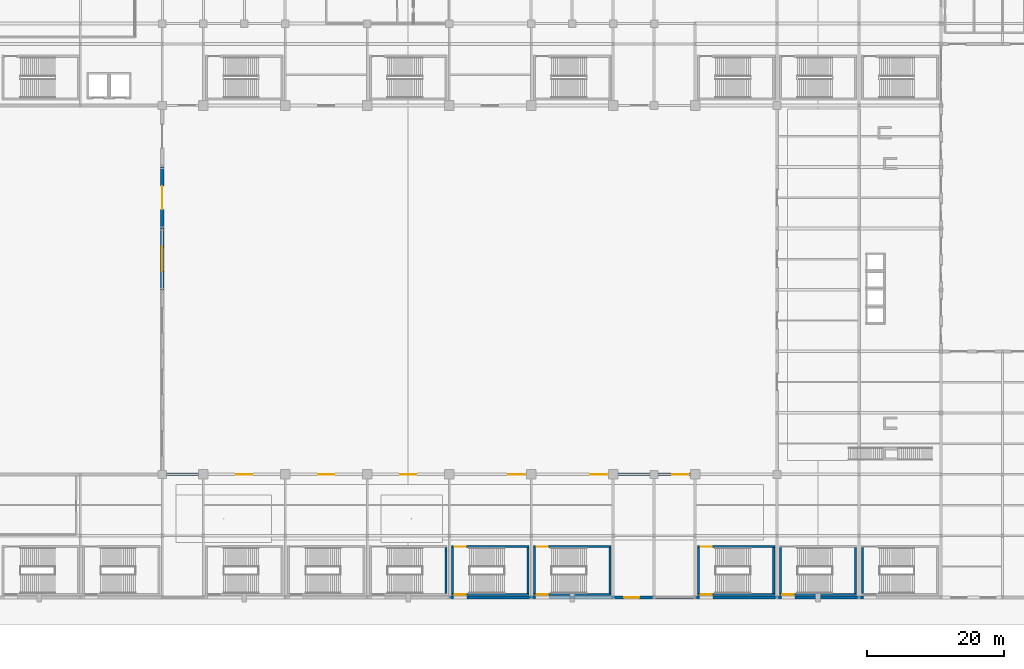
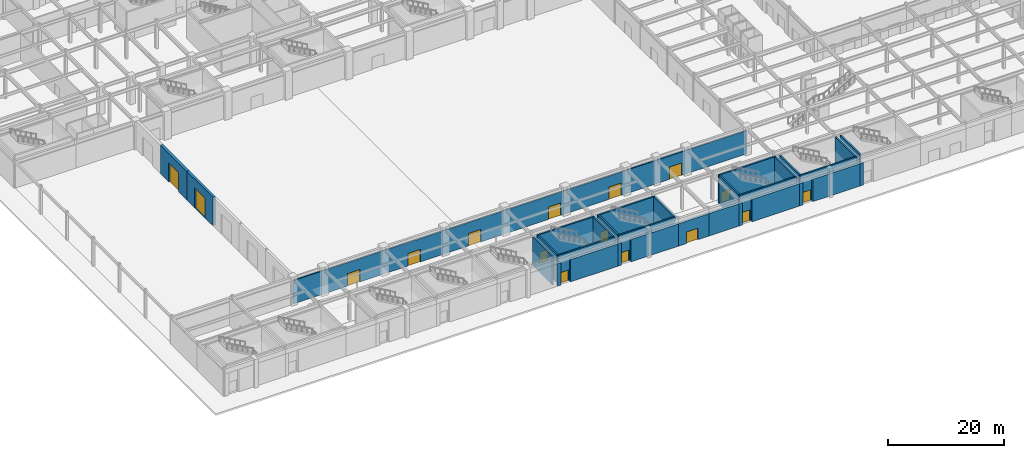
# One storey, part 22 of 44: 31 walls, 16 doors, 16 openings.
"""IFC4 building model written with IfcOpenShell, lengths in metres."""

from ifc_helpers import new_model, si_unit, direction, frame, frame_2d, origin, place, context, subcontext, project, spatial, rectangle, extrude, material, layer, layer_set, type_object, element, fill, save


model = new_model("IFC4")

# Units and contexts
model_context = context("Model", 3, precision=1e-05, world=origin(), true_north=direction((0.0, 1.0)))
body_context = subcontext(model_context, "Body", "Model", "MODEL_VIEW")
ifc_project = project(units=[si_unit("LENGTHUNIT", "METRE"), si_unit("AREAUNIT", "SQUARE_METRE"), si_unit("VOLUMEUNIT", "CUBIC_METRE"), si_unit("PLANEANGLEUNIT", "RADIAN"), si_unit("MASSUNIT", "GRAM", prefix="KILO")], contexts=[model_context])

# Site, building, storey
site_placement = place(None, origin())
site = spatial("IfcSite", under=ifc_project, at=site_placement, CompositionType="ELEMENT")
building_placement = place(site_placement, origin())
building = spatial("IfcBuilding", under=site, at=building_placement, Name="Kaldorvane Square Convention Centre", CompositionType="ELEMENT")
storey_placement = place(building_placement, origin())
storey = spatial("IfcBuildingStorey", under=building, at=storey_placement, Name="L00", CompositionType="ELEMENT", Elevation=0.0)

# Wall, openings, doors
ifc_material_1 = material(Name="Reinforced Concrete Masonry Acoustic Partition", Category="masonry")
ifc_layer_1 = layer(ifc_material_1, 0.279998779296875)
ifc_layer_set_1 = layer_set([ifc_layer_1], Name="Reinforced Concrete Masonry Acoustic Partition")
wall_type_1 = type_object("IfcWallType", Name="WL-ACO-280", PredefinedType="PARTITIONING", material=ifc_layer_set_1)
wall_1_placement = place(storey_placement, frame((24.0, 18.0, 0.0), z_axis=(0.0, 0.0, 1.0), x_axis=(1.0, 0.0, 0.0)))
wall_1 = element("IfcWall", 1, at=wall_1_placement, inside=storey, type_object=wall_type_1, Name="Exhibition Hall S Enclosure Wall (L00)", PredefinedType="PARTITIONING", context=body_context, shape_type="SweptSolid", body=[
    extrude(rectangle(XDim=90.0, YDim=0.279998779296875, at=frame_2d((45.0, 0.0))), origin(), (0.0, 0.0, 1.0), 4.9019927978515625),
])
opening_1_placement = place(wall_1_placement, frame((10.800003051757812, 0.0, 0.0)))
opening_1 = element("IfcOpeningElement", 2, at=opening_1_placement, cuts=wall_1, Name="Opening ID-01", PredefinedType="OPENING", context=body_context, shape_type="SweptSolid", body=[
    extrude(rectangle(XDim=2.399993896484375, YDim=2.600006103515625, at=frame_2d((1.1999969482421875, 1.3000030517578125))), frame((0.0, 0.154998779296875, 0.0), z_axis=(0.0, -1.0, 0.0), x_axis=(1.0, 0.0, 0.0)), (0.0, 0.0, 1.0), 0.30999755859375),
])
opening_2_placement = place(wall_1_placement, frame((22.800003051757812, 0.0, 0.0)))
opening_2 = element("IfcOpeningElement", 3, at=opening_2_placement, cuts=wall_1, Name="Opening ID-01", PredefinedType="OPENING", context=body_context, shape_type="SweptSolid", body=[
    extrude(rectangle(XDim=2.399993896484375, YDim=2.600006103515625, at=frame_2d((1.1999969482421875, 1.3000030517578125))), frame((0.0, 0.154998779296875, 0.0), z_axis=(0.0, -1.0, 0.0), x_axis=(1.0, 0.0, 0.0)), (0.0, 0.0, 1.0), 0.30999755859375),
])
opening_3_placement = place(wall_1_placement, frame((34.80000305175781, 0.0, 0.0)))
opening_3 = element("IfcOpeningElement", 4, at=opening_3_placement, cuts=wall_1, Name="Opening ID-01", PredefinedType="OPENING", context=body_context, shape_type="SweptSolid", body=[
    extrude(rectangle(XDim=2.399993896484375, YDim=2.600006103515625, at=frame_2d((1.1999969482421875, 1.3000030517578125))), frame((0.0, 0.154998779296875, 0.0), z_axis=(0.0, -1.0, 0.0), x_axis=(1.0, 0.0, 0.0)), (0.0, 0.0, 1.0), 0.30999755859375),
])
opening_4_placement = place(wall_1_placement, frame((50.6300048828125, 0.0, 0.0)))
opening_4 = element("IfcOpeningElement", 5, at=opening_4_placement, cuts=wall_1, Name="Opening ID-01", PredefinedType="OPENING", context=body_context, shape_type="SweptSolid", body=[
    extrude(rectangle(XDim=2.399993896484375, YDim=2.600006103515625, at=frame_2d((1.1999969482421875, 1.3000030517578125))), frame((0.0, 0.154998779296875, 0.0), z_axis=(0.0, -1.0, 0.0), x_axis=(1.0, 0.0, 0.0)), (0.0, 0.0, 1.0), 0.30999755859375),
])
opening_5_placement = place(wall_1_placement, frame((62.6300048828125, 0.0, 0.0)))
opening_5 = element("IfcOpeningElement", 6, at=opening_5_placement, cuts=wall_1, Name="Opening ID-01", PredefinedType="OPENING", context=body_context, shape_type="SweptSolid", body=[
    extrude(rectangle(XDim=2.399993896484375, YDim=2.600006103515625, at=frame_2d((1.1999969482421875, 1.3000030517578125))), frame((0.0, 0.154998779296875, 0.0), z_axis=(0.0, -1.0, 0.0), x_axis=(1.0, 0.0, 0.0)), (0.0, 0.0, 1.0), 0.30999755859375),
])
opening_6_placement = place(wall_1_placement, frame((74.6300048828125, 0.0, 0.0)))
opening_6 = element("IfcOpeningElement", 7, at=opening_6_placement, cuts=wall_1, Name="Opening ID-01", PredefinedType="OPENING", context=body_context, shape_type="SweptSolid", body=[
    extrude(rectangle(XDim=2.399993896484375, YDim=2.600006103515625, at=frame_2d((1.1999969482421875, 1.3000030517578125))), frame((0.0, 0.154998779296875, 0.0), z_axis=(0.0, -1.0, 0.0), x_axis=(1.0, 0.0, 0.0)), (0.0, 0.0, 1.0), 0.30999755859375),
])
ifc_material_2 = material(Name="Insulated Hollow Metal Steel", Category="steel")
door_type_1 = type_object("IfcDoorType", Name="DR-HALL-2400X2600", OperationType="DOUBLE_DOOR_SINGLE_SWING", PredefinedType="DOOR", material=ifc_material_2)
door_1_placement = place(opening_1_placement, origin())
door_1 = element("IfcDoor", 8, at=door_1_placement, inside=storey, type_object=door_type_1, Name="Exhibition Hall S Portal Door 1", OperationType="DOUBLE_DOOR_SINGLE_SWING", OverallHeight=2.600006103515625, OverallWidth=2.399993896484375, PredefinedType="DOOR", context=body_context, shape_type="SweptSolid", body=[
    extrude(rectangle(XDim=2.399993896484375, YDim=2.600006103515625, at=frame_2d((1.1999969482421875, 1.3000030517578125))), frame((0.0, 0.024993896484375, 0.0), z_axis=(0.0, -1.0, 0.0), x_axis=(1.0, 0.0, 0.0)), (0.0, 0.0, 1.0), 0.0500030517578125),
])
fill(opening_1, door_1)
door_2_placement = place(opening_2_placement, origin())
door_2 = element("IfcDoor", 9, at=door_2_placement, inside=storey, type_object=door_type_1, Name="Exhibition Hall S Portal Door 2", OperationType="DOUBLE_DOOR_SINGLE_SWING", OverallHeight=2.600006103515625, OverallWidth=2.399993896484375, PredefinedType="DOOR", context=body_context, shape_type="SweptSolid", body=[
    extrude(rectangle(XDim=2.399993896484375, YDim=2.600006103515625, at=frame_2d((1.1999969482421875, 1.3000030517578125))), frame((0.0, 0.024993896484375, 0.0), z_axis=(0.0, -1.0, 0.0), x_axis=(1.0, 0.0, 0.0)), (0.0, 0.0, 1.0), 0.0500030517578125),
])
fill(opening_2, door_2)
door_3_placement = place(opening_3_placement, origin())
door_3 = element("IfcDoor", 10, at=door_3_placement, inside=storey, type_object=door_type_1, Name="Exhibition Hall S Portal Door 3", OperationType="DOUBLE_DOOR_SINGLE_SWING", OverallHeight=2.600006103515625, OverallWidth=2.399993896484375, PredefinedType="DOOR", context=body_context, shape_type="SweptSolid", body=[
    extrude(rectangle(XDim=2.399993896484375, YDim=2.600006103515625, at=frame_2d((1.1999969482421875, 1.3000030517578125))), frame((0.0, 0.024993896484375, 0.0), z_axis=(0.0, -1.0, 0.0), x_axis=(1.0, 0.0, 0.0)), (0.0, 0.0, 1.0), 0.0500030517578125),
])
fill(opening_3, door_3)
door_4_placement = place(opening_4_placement, origin())
door_4 = element("IfcDoor", 11, at=door_4_placement, inside=storey, type_object=door_type_1, Name="Exhibition Hall S Portal Door 4", OperationType="DOUBLE_DOOR_SINGLE_SWING", OverallHeight=2.600006103515625, OverallWidth=2.399993896484375, PredefinedType="DOOR", context=body_context, shape_type="SweptSolid", body=[
    extrude(rectangle(XDim=2.399993896484375, YDim=2.600006103515625, at=frame_2d((1.1999969482421875, 1.3000030517578125))), frame((0.0, 0.024993896484375, 0.0), z_axis=(0.0, -1.0, 0.0), x_axis=(1.0, 0.0, 0.0)), (0.0, 0.0, 1.0), 0.0500030517578125),
])
fill(opening_4, door_4)
door_5_placement = place(opening_5_placement, origin())
door_5 = element("IfcDoor", 12, at=door_5_placement, inside=storey, type_object=door_type_1, Name="Exhibition Hall S Portal Door 5", OperationType="DOUBLE_DOOR_SINGLE_SWING", OverallHeight=2.600006103515625, OverallWidth=2.399993896484375, PredefinedType="DOOR", context=body_context, shape_type="SweptSolid", body=[
    extrude(rectangle(XDim=2.399993896484375, YDim=2.600006103515625, at=frame_2d((1.1999969482421875, 1.3000030517578125))), frame((0.0, 0.024993896484375, 0.0), z_axis=(0.0, -1.0, 0.0), x_axis=(1.0, 0.0, 0.0)), (0.0, 0.0, 1.0), 0.0500030517578125),
])
fill(opening_5, door_5)
door_6_placement = place(opening_6_placement, origin())
door_6 = element("IfcDoor", 13, at=door_6_placement, inside=storey, type_object=door_type_1, Name="Exhibition Hall S Portal Door 6", OperationType="DOUBLE_DOOR_SINGLE_SWING", OverallHeight=2.600006103515625, OverallWidth=2.399993896484375, PredefinedType="DOOR", context=body_context, shape_type="SweptSolid", body=[
    extrude(rectangle(XDim=2.399993896484375, YDim=2.600006103515625, at=frame_2d((1.1999969482421875, 1.3000030517578125))), frame((0.0, 0.024993896484375, 0.0), z_axis=(0.0, -1.0, 0.0), x_axis=(1.0, 0.0, 0.0)), (0.0, 0.0, 1.0), 0.0500030517578125),
])
fill(opening_6, door_6)

# Wall, opening, door
ifc_material_3 = material(Name="Concrete f'c = 55 MPa (Normalweight)", Category="concrete")
ifc_layer_2 = layer(ifc_material_3, 0.5)
ifc_layer_set_2 = layer_set([ifc_layer_2], Name="Concrete f'c = 55 MPa (Normalweight)")
wall_type_2 = type_object("IfcWallType", Name="WL-CORE-500", PredefinedType="SHEAR", material=ifc_layer_set_2)
wall_2_placement = place(storey_placement, frame((24.0, 54.0, 0.0), z_axis=(0.0, 0.0, 1.0), x_axis=(0.0, -1.0, 0.0)))
wall_2 = element("IfcWall", 14, at=wall_2_placement, inside=storey, type_object=wall_type_2, Name="Exhibition Hall Freight Dock Wall 4 (L00)", PredefinedType="SHEAR", context=body_context, shape_type="SweptSolid", body=[
    extrude(rectangle(XDim=9.0, YDim=0.5, at=frame_2d((4.5, 0.0))), origin(), (0.0, 0.0, 1.0), 6.0),
])
opening_7_placement = place(wall_2_placement, frame((2.6999969482421875, 0.0, 0.0)))
opening_7 = element("IfcOpeningElement", 15, at=opening_7_placement, cuts=wall_2, Name="Opening GD-H1", PredefinedType="OPENING", context=body_context, shape_type="SweptSolid", body=[
    extrude(rectangle(XDim=3.600006103515625, YDim=4.1999969482421875, at=frame_2d((1.8000030517578125, 2.100006103515625))), frame((0.0, 0.2649993896484375, 0.0), z_axis=(0.0, -1.0, 0.0), x_axis=(1.0, 0.0, 0.0)), (0.0, 0.0, 1.0), 0.529998779296875),
])
ifc_material_4 = material(Name="Insulated Galvanized Steel Roller Shutter", Category="steel")
door_type_2 = type_object("IfcDoorType", Name="DR-HGV-3600X4200", OperationType="ROLLINGUP", PredefinedType="GATE", material=ifc_material_4)
door_7_placement = place(opening_7_placement, origin())
door_7 = element("IfcDoor", 16, at=door_7_placement, inside=storey, type_object=door_type_2, Name="HGV Loading Dock Roller Gate 04", OperationType="ROLLINGUP", OverallHeight=4.1999969482421875, OverallWidth=3.600006103515625, PredefinedType="GATE", context=body_context, shape_type="SweptSolid", body=[
    extrude(rectangle(XDim=3.600006103515625, YDim=4.1999969482421875, at=frame_2d((1.8000030517578125, 2.100006103515625))), frame((0.0, 0.024993896484375, 0.0), z_axis=(0.0, -1.0, 0.0), x_axis=(1.0, 0.0, 0.0)), (0.0, 0.0, 1.0), 0.0500030517578125),
])
fill(opening_7, door_7)

wall_3_placement = place(storey_placement, frame((24.0, 63.0, 0.0), z_axis=(0.0, 0.0, 1.0), x_axis=(0.0, -1.0, 0.0)))
wall_3 = element("IfcWall", 17, at=wall_3_placement, inside=storey, type_object=wall_type_2, Name="Exhibition Hall Freight Dock Wall 5 (L00)", PredefinedType="SHEAR", context=body_context, shape_type="SweptSolid", body=[
    extrude(rectangle(XDim=9.0, YDim=0.5, at=frame_2d((4.5, 0.0))), origin(), (0.0, 0.0, 1.0), 6.0),
])
opening_8_placement = place(wall_3_placement, frame((2.8000030517578125, 0.0, 0.0)))
opening_8 = element("IfcOpeningElement", 18, at=opening_8_placement, cuts=wall_3, Name="Opening GD-H2", PredefinedType="OPENING", context=body_context, shape_type="SweptSolid", body=[
    extrude(rectangle(XDim=3.399993896484375, YDim=4.0, at=frame_2d((1.6999969482421875, 2.0))), frame((0.0, 0.2649993896484375, 0.0), z_axis=(0.0, -1.0, 0.0), x_axis=(1.0, 0.0, 0.0)), (0.0, 0.0, 1.0), 0.529998779296875),
])
door_type_3 = type_object("IfcDoorType", Name="DR-HGV-3400X4000", OperationType="ROLLINGUP", PredefinedType="GATE", material=ifc_material_4)
door_8_placement = place(opening_8_placement, origin())
door_8 = element("IfcDoor", 19, at=door_8_placement, inside=storey, type_object=door_type_3, Name="HGV Loading Dock Roller Gate 05", OperationType="ROLLINGUP", OverallHeight=4.0, OverallWidth=3.399993896484375, PredefinedType="GATE", context=body_context, shape_type="SweptSolid", body=[
    extrude(rectangle(XDim=3.399993896484375, YDim=4.0, at=frame_2d((1.6999969482421875, 2.0))), frame((0.0, 0.024993896484375, 0.0), z_axis=(0.0, -1.0, 0.0), x_axis=(1.0, 0.0, 0.0)), (0.0, 0.0, 1.0), 0.0500030517578125),
])
fill(opening_8, door_8)

# Walls
ifc_material_5 = material(Name="Concrete f'c = 42 MPa (Normalweight)", Category="concrete")
ifc_layer_3 = layer(ifc_material_5, 0.4499969482421875)
ifc_layer_set_3 = layer_set([ifc_layer_3], Name="Concrete f'c = 42 MPa (Normalweight)")
wall_type_3 = type_object("IfcWallType", Name="WL-EXT-450", PredefinedType="STANDARD", material=ifc_layer_set_3)
wall_4_placement = place(storey_placement, frame((66.0, 0.0, 0.0), z_axis=(0.0, 0.0, 1.0), x_axis=(1.0, 0.0, 0.0)))
element("IfcWall", 20, at=wall_4_placement, inside=storey, type_object=wall_type_3, Name="South Square Brutalist Facade Wall (L00)", PredefinedType="STANDARD", context=body_context, shape_type="SweptSolid", body=[
    extrude(rectangle(XDim=0.6399993896484375, YDim=0.4499969482421875, at=frame_2d((0.32000732421875, 0.0))), origin(), (0.0, 0.0, 1.0), 4.675994873046875),
])
wall_5_placement = place(storey_placement, frame((68.58999633789062, 0.0, 0.0), z_axis=(0.0, 0.0, 1.0), x_axis=(1.0, 0.0, 0.0)))
element("IfcWall", 21, at=wall_5_placement, inside=storey, type_object=wall_type_3, Name="South Square Brutalist Facade Wall (L00)", PredefinedType="STANDARD", context=body_context, shape_type="SweptSolid", body=[
    extrude(rectangle(XDim=9.410003662109375, YDim=0.4499969482421875, at=frame_2d((4.7050018310546875, 0.0))), origin(), (0.0, 0.0, 1.0), 4.675994873046875),
])
wall_6_placement = place(storey_placement, frame((78.0, 0.0, 0.0), z_axis=(0.0, 0.0, 1.0), x_axis=(1.0, 0.0, 0.0)))
element("IfcWall", 22, at=wall_6_placement, inside=storey, type_object=wall_type_3, Name="South Square Brutalist Facade Wall (L00)", PredefinedType="STANDARD", context=body_context, shape_type="SweptSolid", body=[
    extrude(rectangle(XDim=0.6399993896484375, YDim=0.4499969482421875, at=frame_2d((0.32000732421875, 0.0))), origin(), (0.0, 0.0, 1.0), 4.675994873046875),
])
wall_7_placement = place(storey_placement, frame((80.58999633789062, 0.0, 0.0), z_axis=(0.0, 0.0, 1.0), x_axis=(1.0, 0.0, 0.0)))
element("IfcWall", 23, at=wall_7_placement, inside=storey, type_object=wall_type_3, Name="South Square Brutalist Facade Wall (L00)", PredefinedType="STANDARD", context=body_context, shape_type="SweptSolid", body=[
    extrude(rectangle(XDim=9.410003662109375, YDim=0.4499969482421875, at=frame_2d((4.7050018310546875, 0.0))), origin(), (0.0, 0.0, 1.0), 4.675994873046875),
])

# Wall, opening, door
wall_8_placement = place(storey_placement, frame((90.0, 0.0, 0.0), z_axis=(0.0, 0.0, 1.0), x_axis=(1.0, 0.0, 0.0)))
wall_8 = element("IfcWall", 24, at=wall_8_placement, inside=storey, type_object=wall_type_3, Name="South Square Brutalist Facade Wall (L00)", PredefinedType="STANDARD", context=body_context, shape_type="SweptSolid", body=[
    extrude(rectangle(XDim=6.0, YDim=0.4499969482421875, at=frame_2d((3.0, 0.0))), origin(), (0.0, 0.0, 1.0), 4.675994873046875),
])
opening_9_placement = place(wall_8_placement, frame((1.600006103515625, 0.0, 0.0)))
opening_9 = element("IfcOpeningElement", 25, at=opening_9_placement, cuts=wall_8, Name="Opening ED-04", PredefinedType="OPENING", context=body_context, shape_type="SweptSolid", body=[
    extrude(rectangle(XDim=2.1999969482421875, YDim=2.399993896484375, at=frame_2d((1.100006103515625, 1.1999969482421875))), frame((0.0, 0.239990234375, 0.0), z_axis=(0.0, -1.0, 0.0), x_axis=(1.0, 0.0, 0.0)), (0.0, 0.0, 1.0), 0.4799957275390625),
])
ifc_material_6 = material(Name="Thermally Broken Aluminum and Tempered Glass", Category="aluminium")
door_type_4 = type_object("IfcDoorType", Name="DR-EXT-2200X2400", OperationType="DOUBLE_DOOR_SINGLE_SWING", PredefinedType="DOOR", material=ifc_material_6)
door_9_placement = place(opening_9_placement, origin())
door_9 = element("IfcDoor", 26, at=door_9_placement, inside=storey, type_object=door_type_4, Name="South Kaldorvane Square Entrance Exit Door 01", OperationType="DOUBLE_DOOR_SINGLE_SWING", OverallHeight=2.399993896484375, OverallWidth=2.1999969482421875, PredefinedType="DOOR", context=body_context, shape_type="SweptSolid", body=[
    extrude(rectangle(XDim=2.1999969482421875, YDim=2.399993896484375, at=frame_2d((1.100006103515625, 1.1999969482421875))), frame((0.0, 0.024993896484375, 0.0), z_axis=(0.0, -1.0, 0.0), x_axis=(1.0, 0.0, 0.0)), (0.0, 0.0, 1.0), 0.0500030517578125),
])
fill(opening_9, door_9)

# Walls
wall_9_placement = place(storey_placement, frame((96.0, 0.0, 0.0), z_axis=(0.0, 0.0, 1.0), x_axis=(1.0, 0.0, 0.0)))
element("IfcWall", 27, at=wall_9_placement, inside=storey, type_object=wall_type_3, Name="South Square Brutalist Facade Wall (L00)", PredefinedType="STANDARD", context=body_context, shape_type="SweptSolid", body=[
    extrude(rectangle(XDim=6.0, YDim=0.4499969482421875, at=frame_2d((3.0, 0.0))), origin(), (0.0, 0.0, 1.0), 4.675994873046875),
])
wall_10_placement = place(storey_placement, frame((102.0, 0.0, 0.0), z_axis=(0.0, 0.0, 1.0), x_axis=(1.0, 0.0, 0.0)))
element("IfcWall", 28, at=wall_10_placement, inside=storey, type_object=wall_type_3, Name="South Square Brutalist Facade Wall (L00)", PredefinedType="STANDARD", context=body_context, shape_type="SweptSolid", body=[
    extrude(rectangle(XDim=0.6399993896484375, YDim=0.4499969482421875, at=frame_2d((0.32000732421875, 0.0))), origin(), (0.0, 0.0, 1.0), 4.675994873046875),
])
wall_11_placement = place(storey_placement, frame((104.58999633789062, 0.0, 0.0), z_axis=(0.0, 0.0, 1.0), x_axis=(1.0, 0.0, 0.0)))
element("IfcWall", 29, at=wall_11_placement, inside=storey, type_object=wall_type_3, Name="South Square Brutalist Facade Wall (L00)", PredefinedType="STANDARD", context=body_context, shape_type="SweptSolid", body=[
    extrude(rectangle(XDim=9.410003662109375, YDim=0.4499969482421875, at=frame_2d((4.7050018310546875, 0.0))), origin(), (0.0, 0.0, 1.0), 4.675994873046875),
])
wall_12_placement = place(storey_placement, frame((114.0, 0.0, 0.0), z_axis=(0.0, 0.0, 1.0), x_axis=(1.0, 0.0, 0.0)))
element("IfcWall", 30, at=wall_12_placement, inside=storey, type_object=wall_type_3, Name="South Square Brutalist Facade Wall (L00)", PredefinedType="STANDARD", context=body_context, shape_type="SweptSolid", body=[
    extrude(rectangle(XDim=0.6399993896484375, YDim=0.4499969482421875, at=frame_2d((0.32000732421875, 0.0))), origin(), (0.0, 0.0, 1.0), 4.675994873046875),
])
wall_13_placement = place(storey_placement, frame((116.58999633789062, 0.0, 0.0), z_axis=(0.0, 0.0, 1.0), x_axis=(1.0, 0.0, 0.0)))
element("IfcWall", 31, at=wall_13_placement, inside=storey, type_object=wall_type_3, Name="South Square Brutalist Facade Wall (L00)", PredefinedType="STANDARD", context=body_context, shape_type="SweptSolid", body=[
    extrude(rectangle(XDim=9.410003662109375, YDim=0.4499969482421875, at=frame_2d((4.7050018310546875, 0.0))), origin(), (0.0, 0.0, 1.0), 4.675994873046875),
])
wall_14_placement = place(storey_placement, frame((126.0, 0.0, 0.0), z_axis=(0.0, 0.0, 1.0), x_axis=(1.0, 0.0, 0.0)))
element("IfcWall", 32, at=wall_14_placement, inside=storey, type_object=wall_type_3, Name="South Square Brutalist Facade Wall (L00)", PredefinedType="STANDARD", context=body_context, shape_type="SweptSolid", body=[
    extrude(rectangle(XDim=0.6399993896484375, YDim=0.4499969482421875, at=frame_2d((0.32000732421875, 0.0))), origin(), (0.0, 0.0, 1.0), 4.675994873046875),
])
ifc_layer_4 = layer(ifc_material_3, 0.3000030517578125)
ifc_layer_set_4 = layer_set([ifc_layer_4], Name="Concrete f'c = 55 MPa (Normalweight)")
wall_type_4 = type_object("IfcWallType", Name="WL-SHAFT-300", PredefinedType="SHEAR", material=ifc_layer_set_4)
wall_15_placement = place(storey_placement, frame((65.50999450683594, 0.5500030517578125, 0.0), z_axis=(0.0, 0.0, 1.0), x_axis=(0.0, 1.0, 0.0)))
element("IfcWall", 33, at=wall_15_placement, inside=storey, type_object=wall_type_4, Name="Core Enclosure Wall stair:ST-C5-E (L00)", PredefinedType="SHEAR", context=body_context, shape_type="SweptSolid", body=[
    extrude(rectangle(XDim=6.709991455078125, YDim=0.3000030517578125, at=frame_2d((3.3549957275390625, 0.0))), origin(), (0.0, 0.0, 1.0), 6.0),
])

# Wall, opening, door
wall_16_placement = place(storey_placement, frame((77.66000366210938, 0.399993896484375, 0.0), z_axis=(0.0, 0.0, 1.0), x_axis=(-1.0, 0.0, 0.0)))
wall_16 = element("IfcWall", 34, at=wall_16_placement, inside=storey, type_object=wall_type_4, Name="Core Enclosure Wall stair:ST-C6-S (L00)", PredefinedType="SHEAR", context=body_context, shape_type="SweptSolid", body=[
    extrude(rectangle(XDim=11.32000732421875, YDim=0.3000030517578125, at=frame_2d((5.660003662109375, 0.0))), origin(), (0.0, 0.0, 1.0), 6.0),
])
opening_10_placement = place(wall_16_placement, frame((9.220001220703125, 0.0, 0.0)))
opening_10 = element("IfcOpeningElement", 35, at=opening_10_placement, cuts=wall_16, Name="Opening FD90-S2", PredefinedType="OPENING", context=body_context, shape_type="SweptSolid", body=[
    extrude(rectangle(XDim=1.649993896484375, YDim=2.25, at=frame_2d((0.8249969482421875, 1.125))), frame((0.0, 0.165008544921875, 0.0), z_axis=(0.0, -1.0, 0.0), x_axis=(1.0, 0.0, 0.0)), (0.0, 0.0, 1.0), 0.3300018310546875),
])
ifc_material_7 = material(Name="Fire-Rated Hollow Metal Steel", Category="steel")
door_type_5 = type_object("IfcDoorType", Name="DR-STAIR-1650", OperationType="DOUBLE_DOOR_SINGLE_SWING", PredefinedType="DOOR", material=ifc_material_7)
door_10_placement = place(opening_10_placement, origin())
door_10 = element("IfcDoor", 36, at=door_10_placement, inside=storey, type_object=door_type_5, Name="Convention Exit Stair C6 Final Exit Door (L00)", OperationType="DOUBLE_DOOR_SINGLE_SWING", OverallHeight=2.25, OverallWidth=1.649993896484375, PredefinedType="DOOR", context=body_context, shape_type="SweptSolid", body=[
    extrude(rectangle(XDim=1.649993896484375, YDim=2.25, at=frame_2d((0.8249969482421875, 1.125))), frame((0.0, 0.024993896484375, 0.0), z_axis=(0.0, -1.0, 0.0), x_axis=(1.0, 0.0, 0.0)), (0.0, 0.0, 1.0), 0.0500030517578125),
])
fill(opening_10, door_10)

wall_17_placement = place(storey_placement, frame((77.66000366210938, 7.410003662109375, 0.0), z_axis=(0.0, 0.0, 1.0), x_axis=(-1.0, 0.0, 0.0)))
wall_17 = element("IfcWall", 37, at=wall_17_placement, inside=storey, type_object=wall_type_4, Name="Core Enclosure Wall stair:ST-C6-N (L00)", PredefinedType="SHEAR", context=body_context, shape_type="SweptSolid", body=[
    extrude(rectangle(XDim=11.32000732421875, YDim=0.3000030517578125, at=frame_2d((5.660003662109375, 0.0))), origin(), (0.0, 0.0, 1.0), 6.0),
])
opening_11_placement = place(wall_17_placement, frame((9.220001220703125, 0.0, 0.0)))
opening_11 = element("IfcOpeningElement", 38, at=opening_11_placement, cuts=wall_17, Name="Opening FD90-S2", PredefinedType="OPENING", context=body_context, shape_type="SweptSolid", body=[
    extrude(rectangle(XDim=1.649993896484375, YDim=2.25, at=frame_2d((0.8249969482421875, 1.125))), frame((0.0, 0.165008544921875, 0.0), z_axis=(0.0, -1.0, 0.0), x_axis=(1.0, 0.0, 0.0)), (0.0, 0.0, 1.0), 0.3300018310546875),
])
door_11_placement = place(opening_11_placement, origin())
door_11 = element("IfcDoor", 39, at=door_11_placement, inside=storey, type_object=door_type_5, Name="Convention Exit Stair C6 Fire Door (L00)", OperationType="DOUBLE_DOOR_SINGLE_SWING", OverallHeight=2.25, OverallWidth=1.649993896484375, PredefinedType="DOOR", context=body_context, shape_type="SweptSolid", body=[
    extrude(rectangle(XDim=1.649993896484375, YDim=2.25, at=frame_2d((0.8249969482421875, 1.125))), frame((0.0, 0.024993896484375, 0.0), z_axis=(0.0, -1.0, 0.0), x_axis=(1.0, 0.0, 0.0)), (0.0, 0.0, 1.0), 0.0500030517578125),
])
fill(opening_11, door_11)

# Walls
for number, where, z_axis, x_axis, name in (
    (40, (66.49000549316406, 7.2599945068359375, 0.0), (0.0, 0.0, 1.0), (0.0, -1.0, 0.0), "Core Enclosure Wall stair:ST-C6-W (L00)"),
    (41, (77.50999450683594, 0.5500030517578125, 0.0), (0.0, 0.0, 1.0), (0.0, 1.0, 0.0), "Core Enclosure Wall stair:ST-C6-E (L00)"),
):
    element("IfcWall", number, at=place(storey_placement, frame(where, z_axis=z_axis, x_axis=x_axis)), inside=storey, type_object=wall_type_4, Name=name, PredefinedType="SHEAR", context=body_context, shape_type="SweptSolid", body=[
        extrude(rectangle(XDim=6.709991455078125, YDim=0.3000030517578125, at=frame_2d((3.3549957275390625, 0.0))), origin(), (0.0, 0.0, 1.0), 6.0),
    ])

# Wall, opening, door
wall_18_placement = place(storey_placement, frame((89.66000366210938, 0.399993896484375, 0.0), z_axis=(0.0, 0.0, 1.0), x_axis=(-1.0, 0.0, 0.0)))
wall_18 = element("IfcWall", 42, at=wall_18_placement, inside=storey, type_object=wall_type_4, Name="Core Enclosure Wall stair:ST-C7-S (L00)", PredefinedType="SHEAR", context=body_context, shape_type="SweptSolid", body=[
    extrude(rectangle(XDim=11.32000732421875, YDim=0.3000030517578125, at=frame_2d((5.660003662109375, 0.0))), origin(), (0.0, 0.0, 1.0), 6.0),
])
opening_12_placement = place(wall_18_placement, frame((9.220001220703125, 0.0, 0.0)))
opening_12 = element("IfcOpeningElement", 43, at=opening_12_placement, cuts=wall_18, Name="Opening FD90-S2", PredefinedType="OPENING", context=body_context, shape_type="SweptSolid", body=[
    extrude(rectangle(XDim=1.649993896484375, YDim=2.25, at=frame_2d((0.8249969482421875, 1.125))), frame((0.0, 0.165008544921875, 0.0), z_axis=(0.0, -1.0, 0.0), x_axis=(1.0, 0.0, 0.0)), (0.0, 0.0, 1.0), 0.3300018310546875),
])
door_12_placement = place(opening_12_placement, origin())
door_12 = element("IfcDoor", 44, at=door_12_placement, inside=storey, type_object=door_type_5, Name="Convention Exit Stair C7 Final Exit Door (L00)", OperationType="DOUBLE_DOOR_SINGLE_SWING", OverallHeight=2.25, OverallWidth=1.649993896484375, PredefinedType="DOOR", context=body_context, shape_type="SweptSolid", body=[
    extrude(rectangle(XDim=1.649993896484375, YDim=2.25, at=frame_2d((0.8249969482421875, 1.125))), frame((0.0, 0.024993896484375, 0.0), z_axis=(0.0, -1.0, 0.0), x_axis=(1.0, 0.0, 0.0)), (0.0, 0.0, 1.0), 0.0500030517578125),
])
fill(opening_12, door_12)

wall_19_placement = place(storey_placement, frame((89.66000366210938, 7.410003662109375, 0.0), z_axis=(0.0, 0.0, 1.0), x_axis=(-1.0, 0.0, 0.0)))
wall_19 = element("IfcWall", 45, at=wall_19_placement, inside=storey, type_object=wall_type_4, Name="Core Enclosure Wall stair:ST-C7-N (L00)", PredefinedType="SHEAR", context=body_context, shape_type="SweptSolid", body=[
    extrude(rectangle(XDim=11.32000732421875, YDim=0.3000030517578125, at=frame_2d((5.660003662109375, 0.0))), origin(), (0.0, 0.0, 1.0), 6.0),
])
opening_13_placement = place(wall_19_placement, frame((9.220001220703125, 0.0, 0.0)))
opening_13 = element("IfcOpeningElement", 46, at=opening_13_placement, cuts=wall_19, Name="Opening FD90-S2", PredefinedType="OPENING", context=body_context, shape_type="SweptSolid", body=[
    extrude(rectangle(XDim=1.649993896484375, YDim=2.25, at=frame_2d((0.8249969482421875, 1.125))), frame((0.0, 0.165008544921875, 0.0), z_axis=(0.0, -1.0, 0.0), x_axis=(1.0, 0.0, 0.0)), (0.0, 0.0, 1.0), 0.3300018310546875),
])
door_13_placement = place(opening_13_placement, origin())
door_13 = element("IfcDoor", 47, at=door_13_placement, inside=storey, type_object=door_type_5, Name="Convention Exit Stair C7 Fire Door (L00)", OperationType="DOUBLE_DOOR_SINGLE_SWING", OverallHeight=2.25, OverallWidth=1.649993896484375, PredefinedType="DOOR", context=body_context, shape_type="SweptSolid", body=[
    extrude(rectangle(XDim=1.649993896484375, YDim=2.25, at=frame_2d((0.8249969482421875, 1.125))), frame((0.0, 0.024993896484375, 0.0), z_axis=(0.0, -1.0, 0.0), x_axis=(1.0, 0.0, 0.0)), (0.0, 0.0, 1.0), 0.0500030517578125),
])
fill(opening_13, door_13)

# Walls
for number, where, z_axis, x_axis, name in (
    (48, (78.49000549316406, 7.2599945068359375, 0.0), (0.0, 0.0, 1.0), (0.0, -1.0, 0.0), "Core Enclosure Wall stair:ST-C7-W (L00)"),
    (49, (89.50999450683594, 0.5500030517578125, 0.0), (0.0, 0.0, 1.0), (0.0, 1.0, 0.0), "Core Enclosure Wall stair:ST-C7-E (L00)"),
):
    element("IfcWall", number, at=place(storey_placement, frame(where, z_axis=z_axis, x_axis=x_axis)), inside=storey, type_object=wall_type_4, Name=name, PredefinedType="SHEAR", context=body_context, shape_type="SweptSolid", body=[
        extrude(rectangle(XDim=6.709991455078125, YDim=0.3000030517578125, at=frame_2d((3.3549957275390625, 0.0))), origin(), (0.0, 0.0, 1.0), 6.0),
    ])

# Wall, opening, door
wall_20_placement = place(storey_placement, frame((113.66000366210938, 0.399993896484375, 0.0), z_axis=(0.0, 0.0, 1.0), x_axis=(-1.0, 0.0, 0.0)))
wall_20 = element("IfcWall", 50, at=wall_20_placement, inside=storey, type_object=wall_type_4, Name="Core Enclosure Wall stair:ST-C8-S (L00)", PredefinedType="SHEAR", context=body_context, shape_type="SweptSolid", body=[
    extrude(rectangle(XDim=11.32000732421875, YDim=0.3000030517578125, at=frame_2d((5.660003662109375, 0.0))), origin(), (0.0, 0.0, 1.0), 6.0),
])
opening_14_placement = place(wall_20_placement, frame((9.220001220703125, 0.0, 0.0)))
opening_14 = element("IfcOpeningElement", 51, at=opening_14_placement, cuts=wall_20, Name="Opening FD90-S2", PredefinedType="OPENING", context=body_context, shape_type="SweptSolid", body=[
    extrude(rectangle(XDim=1.649993896484375, YDim=2.25, at=frame_2d((0.8249969482421875, 1.125))), frame((0.0, 0.165008544921875, 0.0), z_axis=(0.0, -1.0, 0.0), x_axis=(1.0, 0.0, 0.0)), (0.0, 0.0, 1.0), 0.3300018310546875),
])
door_14_placement = place(opening_14_placement, origin())
door_14 = element("IfcDoor", 52, at=door_14_placement, inside=storey, type_object=door_type_5, Name="Convention Exit Stair C8 Final Exit Door (L00)", OperationType="DOUBLE_DOOR_SINGLE_SWING", OverallHeight=2.25, OverallWidth=1.649993896484375, PredefinedType="DOOR", context=body_context, shape_type="SweptSolid", body=[
    extrude(rectangle(XDim=1.649993896484375, YDim=2.25, at=frame_2d((0.8249969482421875, 1.125))), frame((0.0, 0.024993896484375, 0.0), z_axis=(0.0, -1.0, 0.0), x_axis=(1.0, 0.0, 0.0)), (0.0, 0.0, 1.0), 0.0500030517578125),
])
fill(opening_14, door_14)

wall_21_placement = place(storey_placement, frame((113.66000366210938, 7.410003662109375, 0.0), z_axis=(0.0, 0.0, 1.0), x_axis=(-1.0, 0.0, 0.0)))
wall_21 = element("IfcWall", 53, at=wall_21_placement, inside=storey, type_object=wall_type_4, Name="Core Enclosure Wall stair:ST-C8-N (L00)", PredefinedType="SHEAR", context=body_context, shape_type="SweptSolid", body=[
    extrude(rectangle(XDim=11.32000732421875, YDim=0.3000030517578125, at=frame_2d((5.660003662109375, 0.0))), origin(), (0.0, 0.0, 1.0), 6.0),
])
opening_15_placement = place(wall_21_placement, frame((9.220001220703125, 0.0, 0.0)))
opening_15 = element("IfcOpeningElement", 54, at=opening_15_placement, cuts=wall_21, Name="Opening FD90-S2", PredefinedType="OPENING", context=body_context, shape_type="SweptSolid", body=[
    extrude(rectangle(XDim=1.649993896484375, YDim=2.25, at=frame_2d((0.8249969482421875, 1.125))), frame((0.0, 0.165008544921875, 0.0), z_axis=(0.0, -1.0, 0.0), x_axis=(1.0, 0.0, 0.0)), (0.0, 0.0, 1.0), 0.3300018310546875),
])
door_15_placement = place(opening_15_placement, origin())
door_15 = element("IfcDoor", 55, at=door_15_placement, inside=storey, type_object=door_type_5, Name="Convention Exit Stair C8 Fire Door (L00)", OperationType="DOUBLE_DOOR_SINGLE_SWING", OverallHeight=2.25, OverallWidth=1.649993896484375, PredefinedType="DOOR", context=body_context, shape_type="SweptSolid", body=[
    extrude(rectangle(XDim=1.649993896484375, YDim=2.25, at=frame_2d((0.8249969482421875, 1.125))), frame((0.0, 0.024993896484375, 0.0), z_axis=(0.0, -1.0, 0.0), x_axis=(1.0, 0.0, 0.0)), (0.0, 0.0, 1.0), 0.0500030517578125),
])
fill(opening_15, door_15)

# Walls
for number, where, z_axis, x_axis, name in (
    (56, (102.49000549316406, 7.2599945068359375, 0.0), (0.0, 0.0, 1.0), (0.0, -1.0, 0.0), "Core Enclosure Wall stair:ST-C8-W (L00)"),
    (57, (113.50999450683594, 0.5500030517578125, 0.0), (0.0, 0.0, 1.0), (0.0, 1.0, 0.0), "Core Enclosure Wall stair:ST-C8-E (L00)"),
):
    element("IfcWall", number, at=place(storey_placement, frame(where, z_axis=z_axis, x_axis=x_axis)), inside=storey, type_object=wall_type_4, Name=name, PredefinedType="SHEAR", context=body_context, shape_type="SweptSolid", body=[
        extrude(rectangle(XDim=6.709991455078125, YDim=0.3000030517578125, at=frame_2d((3.3549957275390625, 0.0))), origin(), (0.0, 0.0, 1.0), 6.0),
    ])

# Wall, opening, door
wall_22_placement = place(storey_placement, frame((125.66000366210938, 0.399993896484375, 0.0), z_axis=(0.0, 0.0, 1.0), x_axis=(-1.0, 0.0, 0.0)))
wall_22 = element("IfcWall", 58, at=wall_22_placement, inside=storey, type_object=wall_type_4, Name="Core Enclosure Wall stair:ST-C9-S (L00)", PredefinedType="SHEAR", context=body_context, shape_type="SweptSolid", body=[
    extrude(rectangle(XDim=11.32000732421875, YDim=0.3000030517578125, at=frame_2d((5.660003662109375, 0.0))), origin(), (0.0, 0.0, 1.0), 6.0),
])
opening_16_placement = place(wall_22_placement, frame((9.220001220703125, 0.0, 0.0)))
opening_16 = element("IfcOpeningElement", 59, at=opening_16_placement, cuts=wall_22, Name="Opening FD90-S2", PredefinedType="OPENING", context=body_context, shape_type="SweptSolid", body=[
    extrude(rectangle(XDim=1.649993896484375, YDim=2.25, at=frame_2d((0.8249969482421875, 1.125))), frame((0.0, 0.165008544921875, 0.0), z_axis=(0.0, -1.0, 0.0), x_axis=(1.0, 0.0, 0.0)), (0.0, 0.0, 1.0), 0.3300018310546875),
])
door_16_placement = place(opening_16_placement, origin())
door_16 = element("IfcDoor", 60, at=door_16_placement, inside=storey, type_object=door_type_5, Name="Convention Exit Stair C9 Final Exit Door (L00)", OperationType="DOUBLE_DOOR_SINGLE_SWING", OverallHeight=2.25, OverallWidth=1.649993896484375, PredefinedType="DOOR", context=body_context, shape_type="SweptSolid", body=[
    extrude(rectangle(XDim=1.649993896484375, YDim=2.25, at=frame_2d((0.8249969482421875, 1.125))), frame((0.0, 0.024993896484375, 0.0), z_axis=(0.0, -1.0, 0.0), x_axis=(1.0, 0.0, 0.0)), (0.0, 0.0, 1.0), 0.0500030517578125),
])
fill(opening_16, door_16)

# Walls
for number, where, z_axis, x_axis, name in (
    (61, (114.49000549316406, 7.2599945068359375, 0.0), (0.0, 0.0, 1.0), (0.0, -1.0, 0.0), "Core Enclosure Wall stair:ST-C9-W (L00)"),
    (62, (125.50999450683594, 0.5500030517578125, 0.0), (0.0, 0.0, 1.0), (0.0, 1.0, 0.0), "Core Enclosure Wall stair:ST-C9-E (L00)"),
    (63, (126.49000549316406, 7.2599945068359375, 0.0), (0.0, 0.0, 1.0), (0.0, -1.0, 0.0), "Core Enclosure Wall stair:ST-C10-W (L00)"),
):
    element("IfcWall", number, at=place(storey_placement, frame(where, z_axis=z_axis, x_axis=x_axis)), inside=storey, type_object=wall_type_4, Name=name, PredefinedType="SHEAR", context=body_context, shape_type="SweptSolid", body=[
        extrude(rectangle(XDim=6.709991455078125, YDim=0.3000030517578125, at=frame_2d((3.3549957275390625, 0.0))), origin(), (0.0, 0.0, 1.0), 6.0),
    ])

save(model, "model.ifc")
